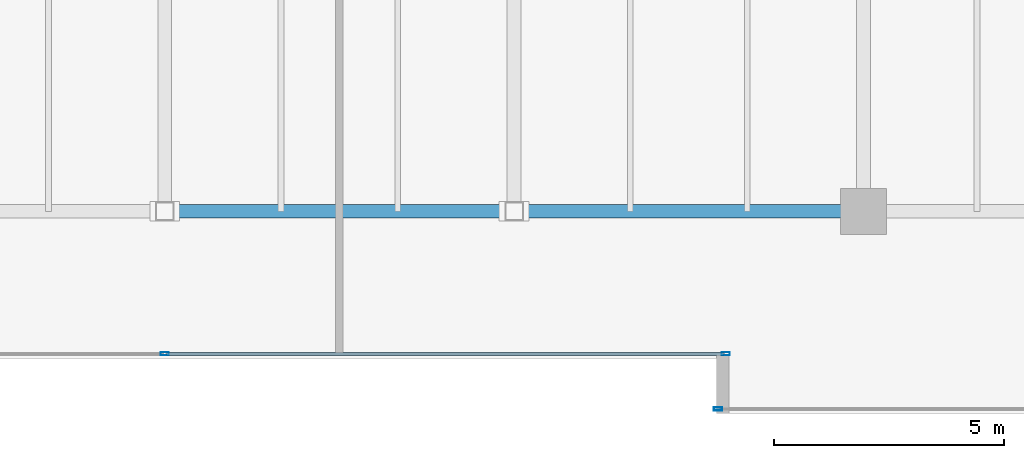
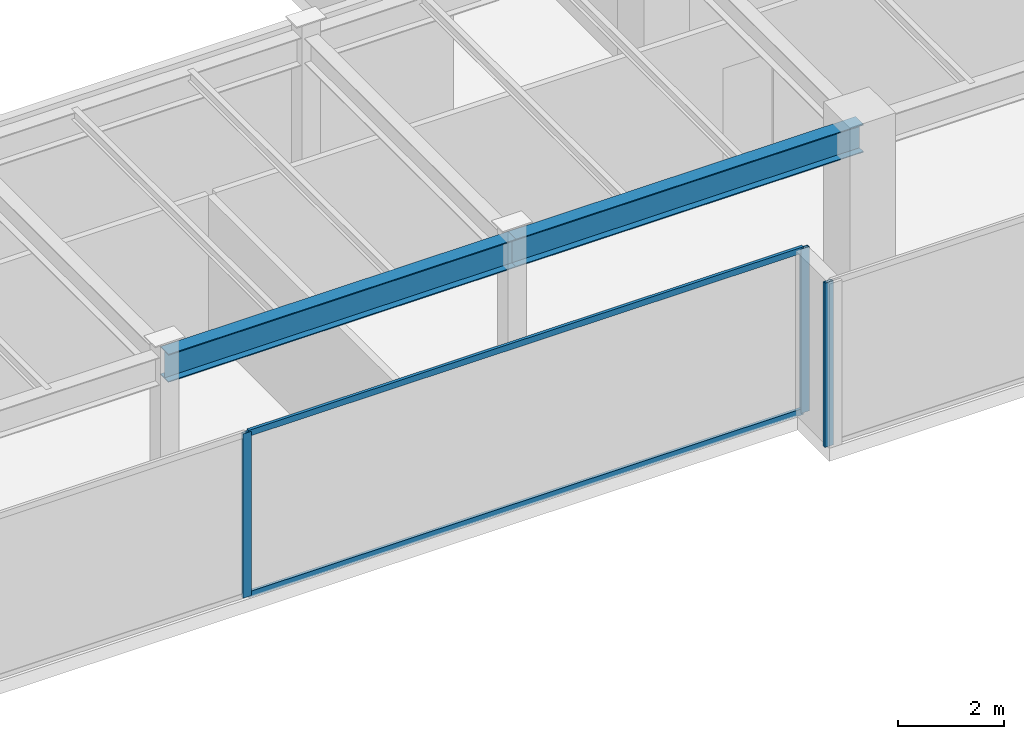
# One storey, part 11 of 33: 5 members, 2 beams, 2 elements without a shape of their own.
"""IFC4 building model written with IfcOpenShell, lengths in metres."""

from ifc_helpers import new_model, si_unit, direction, frame, origin, origin_2d, place, context, subcontext, project, spatial, hollow_rectangle, i_section, extrude, source, transform, mapped, material, layer, layer_set, material_profile, profile_set, type_object, type_shapes, element, aggregate, save


model = new_model("IFC4")

# Units and contexts
model_context = context("Model", 3, precision=1e-05, world=origin(), true_north=direction((0.0, 1.0)))
body_context = subcontext(model_context, "Body", "Model", "MODEL_VIEW")
ifc_project = project(units=[si_unit("LENGTHUNIT", "METRE"), si_unit("AREAUNIT", "SQUARE_METRE"), si_unit("VOLUMEUNIT", "CUBIC_METRE"), si_unit("PLANEANGLEUNIT", "RADIAN"), si_unit("MASSUNIT", "GRAM", prefix="KILO")], contexts=[model_context])

# Site, building, storey
site_placement = place(None, origin())
site = spatial("IfcSite", under=ifc_project, at=site_placement, CompositionType="ELEMENT")
building_placement = place(site_placement, origin())
building = spatial("IfcBuilding", under=site, at=building_placement, Name="Haelvirn Gate Laboratories", CompositionType="ELEMENT")
storey_placement = place(building_placement, frame((0.0, 0.0, 287.5)))
storey = spatial("IfcBuildingStorey", under=building, at=storey_placement, Name="L69", CompositionType="ELEMENT", Elevation=287.5)

# Beams
ifc_material_1 = material(Name="Steel SM355", Category="steel")
ifc_material_profile_1 = material_profile(ifc_material_1, i_section(OverallWidth=0.300048828125, OverallDepth=0.64990234375, WebThickness=0.012939453125, FlangeThickness=0.02197265625, at=origin_2d()), Name="H-650x300x13x22")
ifc_profile_set_1 = profile_set([ifc_material_profile_1], Name="Steel SM355")
beam_type = type_object("IfcBeamType", Name="BM-G-650", PredefinedType="BEAM", material=ifc_profile_set_1)
shared_shape_1 = source(origin(), body_context, "Body", "SweptSolid", [
    extrude(i_section(OverallWidth=0.300048828125, OverallDepth=0.64990234375, WebThickness=0.012939453125, FlangeThickness=0.02197265625, at=origin_2d()), origin(), (0.0, 0.0, 1.0), 7.60009765625),
])
type_shapes(beam_type, [shared_shape_1])
for number, where, z_axis, x_axis, name in (
    (1, (37.39990234375, 7.0, 3.47509765625), (1.0, 0.0, 0.0), (0.0, 1.0, 0.0), "L69 Primary Girder Y7.0 (37.4-45.0)"),
    (2, (45.0, 7.0, 3.47509765625), (1.0, 0.0, 0.0), (0.0, 1.0, 0.0), "L69 Primary Girder Y7.0 (45.0-52.6)"),
):
    element("IfcBeam", number, at=place(storey_placement, frame(where, z_axis=z_axis, x_axis=x_axis)), inside=storey, type_object=beam_type, Name=name, PredefinedType="BEAM", context=body_context, shape_type="MappedRepresentation", body=[
        mapped(shared_shape_1, transform((0.0, 0.0, 0.0), scale=1.0)),
    ])

# Curtain wall, members
ifc_material_2 = material(Name="Anodised bronze unitised aluminium & triple low-E glass", Category="aluminium")
ifc_layer = layer(ifc_material_2, 0.176025390625, Name="CW-SYS-4")
ifc_layer_set = layer_set([ifc_layer], Name="Anodised bronze unitised aluminium & triple low-E glass")
curtain_wall_type = type_object("IfcCurtainWallType", Name="CW-SYS-4", PredefinedType="NOTDEFINED", material=ifc_layer_set)
curtain_wall_1_placement = place(storey_placement, origin())
curtain_wall_1 = element("IfcCurtainWall", 3, at=curtain_wall_1_placement, inside=storey, type_object=curtain_wall_type, Name="L69 Unitised Curtain Wall CW-L69-P0-E02-1", PredefinedType="NOTDEFINED")
ifc_material_3 = material(Name="Extruded aluminium 6063-T6 (anodised bronze)", Category="aluminium")
ifc_material_profile_2 = material_profile(ifc_material_3, hollow_rectangle(XDim=0.06494140625, YDim=0.139892578125, WallThickness=0.00390625, at=origin_2d()), Name="CWT-140x65x4")
ifc_profile_set_2 = profile_set([ifc_material_profile_2], Name="Extruded aluminium 6063-T6 (anodised bronze)")
member_type_1 = type_object("IfcMemberType", Name="CWT-T140", PredefinedType="USERDEFINED", material=ifc_profile_set_2)
shared_shape_2 = source(origin(), body_context, "Body", "SweptSolid", [
    extrude(hollow_rectangle(XDim=0.06494140625, YDim=0.139892578125, WallThickness=0.00390625, at=origin_2d()), origin(), (0.0, 0.0, 1.0), 12.135009765625),
])
type_shapes(member_type_1, [shared_shape_2])
member_1_placement = place(storey_placement, frame((37.43505859375, 3.89990234375, 0.032470703125), z_axis=(1.0, 0.0, 0.0), x_axis=(0.0, 1.0, 0.0)))
member_1 = element("IfcMember", 4, at=member_1_placement, type_object=member_type_1, Name="CW4 transom 2.1", ObjectType="TRANSOM", PredefinedType="USERDEFINED", context=body_context, shape_type="MappedRepresentation", body=[
    mapped(shared_shape_2, transform((0.0, 0.0, 0.0), scale=1.0)),
])
member_2_placement = place(storey_placement, frame((37.43505859375, 3.89990234375, 3.767578125), z_axis=(1.0, 0.0, 0.0), x_axis=(0.0, 1.0, 0.0)))
member_2 = element("IfcMember", 5, at=member_2_placement, type_object=member_type_1, Name="CW4 transom 2.2", ObjectType="TRANSOM", PredefinedType="USERDEFINED", context=body_context, shape_type="MappedRepresentation", body=[
    mapped(shared_shape_2, transform((0.0, 0.0, 0.0), scale=1.0)),
])
ifc_material_profile_3 = material_profile(ifc_material_3, hollow_rectangle(XDim=0.070068359375, YDim=0.179931640625, WallThickness=0.0048828125, at=origin_2d()), Name="CWM-180x70x5")
ifc_profile_set_3 = profile_set([ifc_material_profile_3], Name="Extruded aluminium 6063-T6 (anodised bronze)")
member_type_2 = type_object("IfcMemberType", Name="CWM-T180", PredefinedType="MULLION", material=ifc_profile_set_3)
shared_shape_3 = source(origin(), body_context, "Body", "SweptSolid", [
    extrude(hollow_rectangle(XDim=0.070068359375, YDim=0.179931640625, WallThickness=0.0048828125, at=origin_2d()), origin(), (0.0, 0.0, 1.0), 3.800048828125),
])
type_shapes(member_type_2, [shared_shape_3])
member_3_placement = place(storey_placement, frame((37.39990234375, 3.89990234375, 0.0), z_axis=(0.0, 0.0, 1.0), x_axis=(0.0, 1.0, 0.0)))
member_3 = element("IfcMember", 6, at=member_3_placement, type_object=member_type_2, Name="CW4 mullion 2", PredefinedType="MULLION", context=body_context, shape_type="MappedRepresentation", body=[
    mapped(shared_shape_3, transform((0.0, 0.0, 0.0), scale=1.0)),
])
member_4_placement = place(storey_placement, frame((49.60498046875, 3.89990234375, 0.0), z_axis=(0.0, 0.0, 1.0), x_axis=(0.0, 1.0, 0.0)))
member_4 = element("IfcMember", 7, at=member_4_placement, type_object=member_type_2, Name="CW4 mullion 3", PredefinedType="MULLION", context=body_context, shape_type="MappedRepresentation", body=[
    mapped(shared_shape_3, transform((0.0, 0.0, 0.0), scale=1.0)),
])
aggregate(curtain_wall_1, [member_3, member_4, member_1, member_2])

# Curtain wall, member
curtain_wall_2_placement = place(storey_placement, origin())
curtain_wall_2 = element("IfcCurtainWall", 8, at=curtain_wall_2_placement, inside=storey, type_object=curtain_wall_type, Name="L69 Unitised Curtain Wall CW-L69-P0-E04-1", PredefinedType="NOTDEFINED")
member_5_placement = place(storey_placement, frame((49.43505859375, 2.699951171875, 0.0), z_axis=(0.0, 0.0, 1.0), x_axis=(0.0, 1.0, 0.0)))
member_5 = element("IfcMember", 9, at=member_5_placement, type_object=member_type_2, Name="CW4 mullion 1", PredefinedType="MULLION", context=body_context, shape_type="MappedRepresentation", body=[
    mapped(shared_shape_3, transform((0.0, 0.0, 0.0), scale=1.0)),
])
aggregate(curtain_wall_2, [member_5])

save(model, "model.ifc")
